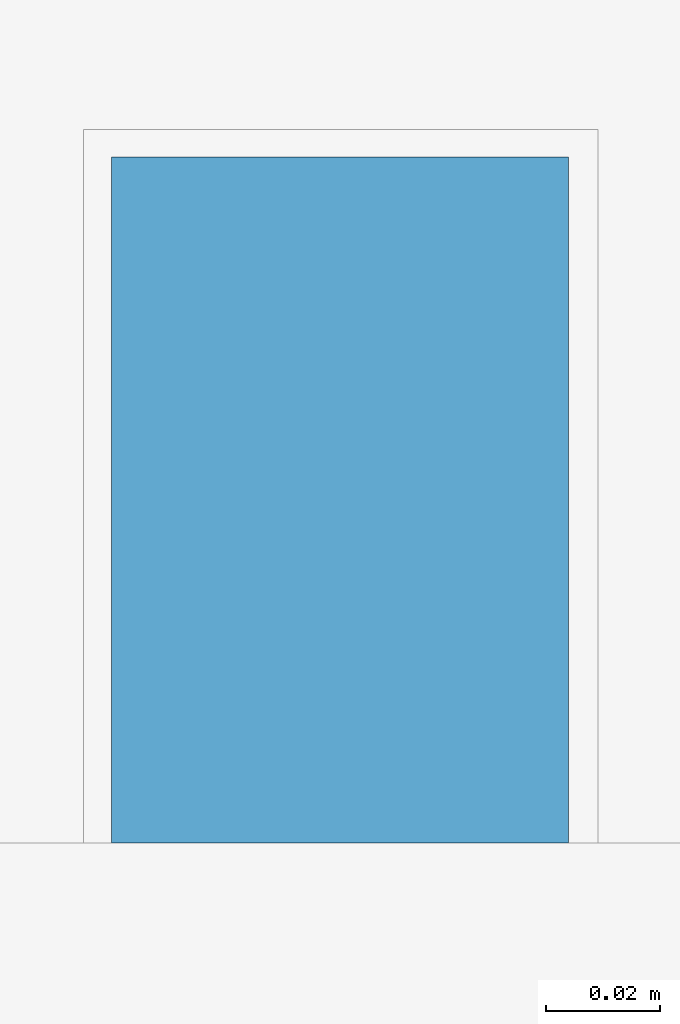
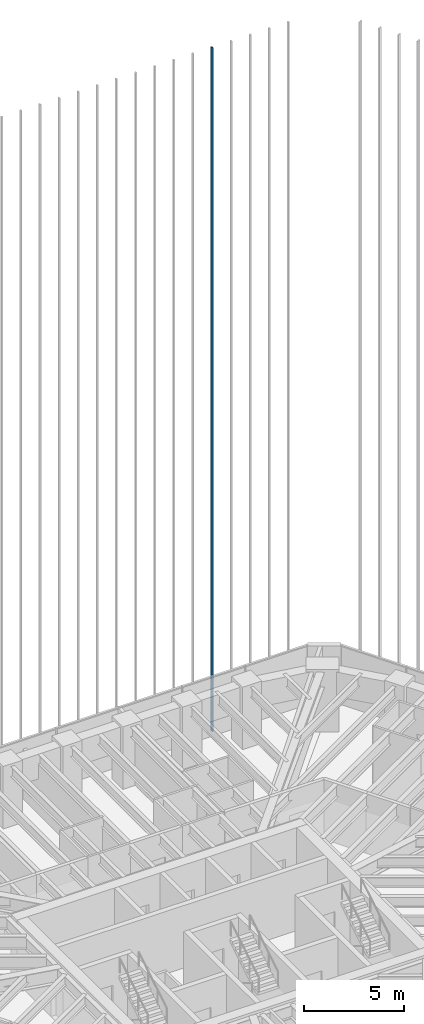
# One storey, part 102 of 127: 1 member, 1 element without a shape of its own.
"""IFC4 building model written with IfcOpenShell, lengths in metres."""

from ifc_helpers import new_model, si_unit, direction, frame, origin, origin_2d, place, context, subcontext, project, spatial, rectangle, extrude, material, material_profile, profile_set, type_object, element, aggregate, save


model = new_model("IFC4")

# Units and contexts
model_context = context("Model", 3, precision=1e-05, world=origin(), true_north=direction((0.0, 1.0)))
body_context = subcontext(model_context, "Body", "Model", "MODEL_VIEW")
ifc_project = project(units=[si_unit("LENGTHUNIT", "METRE"), si_unit("AREAUNIT", "SQUARE_METRE"), si_unit("VOLUMEUNIT", "CUBIC_METRE"), si_unit("PLANEANGLEUNIT", "RADIAN"), si_unit("MASSUNIT", "GRAM", prefix="KILO")], contexts=[model_context])

# Site, building, storey
site_placement = place(None, origin())
site = spatial("IfcSite", under=ifc_project, at=site_placement, CompositionType="ELEMENT")
building_placement = place(site_placement, origin())
building = spatial("IfcBuilding", under=site, at=building_placement, Name="Sandreach Pilgrim Tower", CompositionType="ELEMENT")
storey_placement = place(building_placement, frame((0.0, 0.0, 257.0)))
storey = spatial("IfcBuildingStorey", under=building, at=storey_placement, Name="L64", CompositionType="ELEMENT", Elevation=257.0)

# Curtain wall, member
ifc_material_1 = material(Name="Aluminium framed curtain wall", Category="aluminium")
curtain_wall_type = type_object("IfcCurtainWallType", Name="Suite tower curtain wall", PredefinedType="NOTDEFINED", material=ifc_material_1)
curtain_wall_placement = place(storey_placement, origin())
curtain_wall = element("IfcCurtainWall", 1, at=curtain_wall_placement, inside=storey, type_object=curtain_wall_type, Name="CW-4 L64 N", PredefinedType="NOTDEFINED")
ifc_material_2 = material(Name="Extruded terracotta on aluminium core", Category="masonry")
ifc_material_profile = material_profile(ifc_material_2, rectangle(XDim=0.080078125, YDim=0.1201171875, at=origin_2d()), Name="TBN 80X120")
ifc_profile_set = profile_set([ifc_material_profile], Name="Extruded terracotta on aluminium core")
member_type = type_object("IfcMemberType", Name="Terracotta baguette north", PredefinedType="USERDEFINED", material=ifc_profile_set)
member_placement = place(storey_placement, frame((11.004150390625, 20.1865234375, 0.0), z_axis=(0.0, 0.0, 1.0), x_axis=(1.0, 0.0, 0.0)))
member = element("IfcMember", 2, at=member_placement, type_object=member_type, Name="Baguette Z4 N25", ObjectType="BAGUETTE", PredefinedType="USERDEFINED", context=body_context, shape_type="SweptSolid", body=[
    extrude(rectangle(XDim=0.080078125, YDim=0.1201171875, at=origin_2d()), origin(), (0.0, 0.0, 1.0), 41.639892578125),
])
aggregate(curtain_wall, [member])

save(model, "model.ifc")
